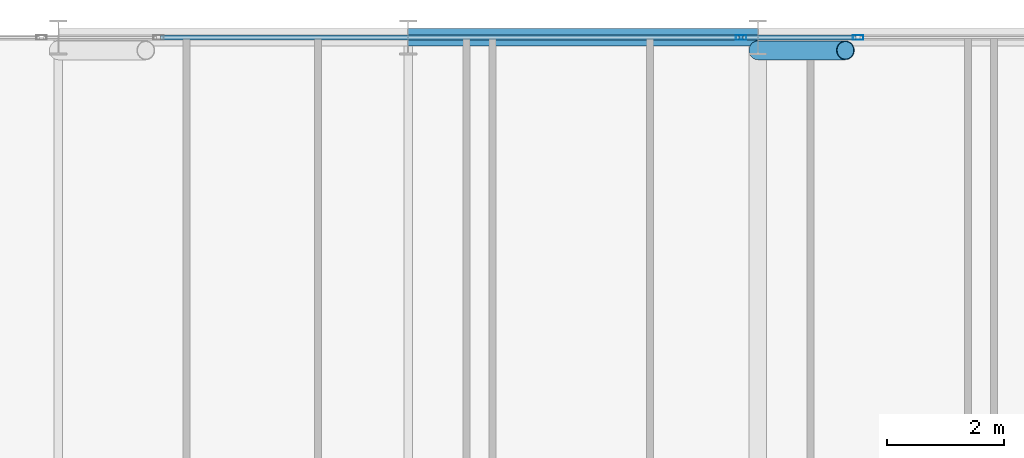
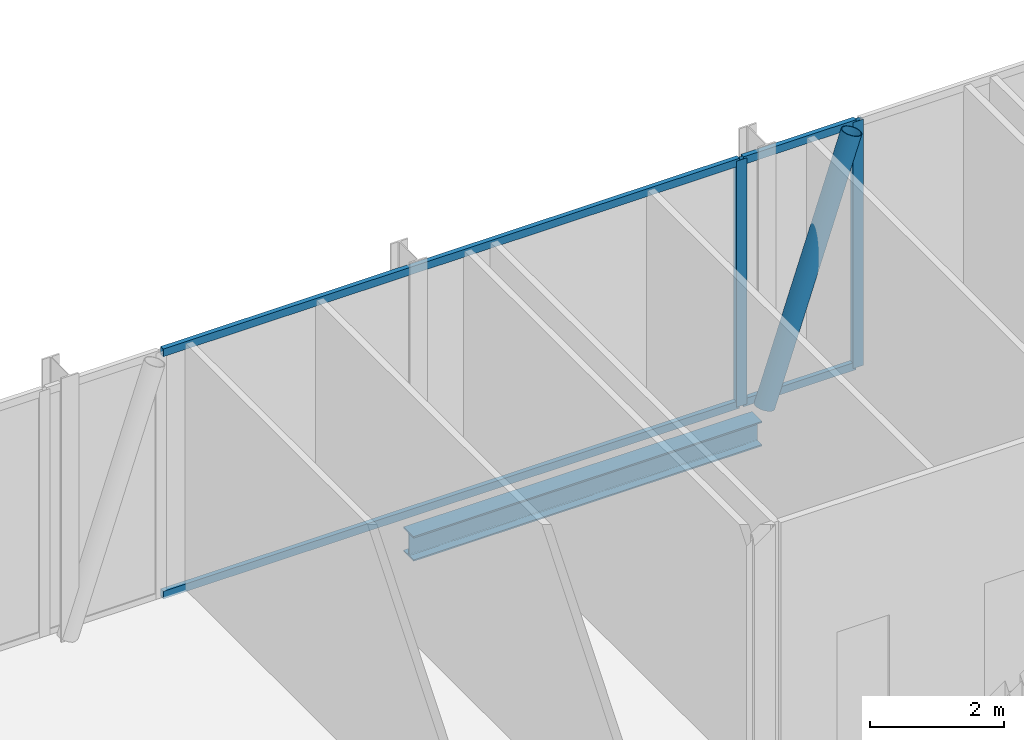
# One storey, part 17 of 29: 7 members, 1 beam, 2 elements without a shape of their own.
"""IFC4 building model written with IfcOpenShell, lengths in metres."""

from ifc_helpers import new_model, si_unit, direction, frame, origin, origin_2d, place, context, subcontext, project, spatial, hollow_rectangle, hollow_circle, i_section, extrude, material, layer, layer_set, material_profile, profile_set, type_object, element, aggregate, save


model = new_model("IFC4")

# Units and contexts
model_context = context("Model", 3, precision=1e-05, world=origin(), true_north=direction((0.0, 1.0)))
body_context = subcontext(model_context, "Body", "Model", "MODEL_VIEW")
ifc_project = project(units=[si_unit("LENGTHUNIT", "METRE"), si_unit("AREAUNIT", "SQUARE_METRE"), si_unit("VOLUMEUNIT", "CUBIC_METRE"), si_unit("PLANEANGLEUNIT", "RADIAN"), si_unit("MASSUNIT", "GRAM", prefix="KILO")], contexts=[model_context])

# Site, building, storey
site_placement = place(None, origin())
site = spatial("IfcSite", under=ifc_project, at=site_placement, CompositionType="ELEMENT")
building_placement = place(site_placement, origin())
building = spatial("IfcBuilding", under=site, at=building_placement, Name="Keshet Zoharim Tower", CompositionType="ELEMENT")
storey_placement = place(building_placement, frame((0.0, 0.0, 120.5)))
storey = spatial("IfcBuildingStorey", under=building, at=storey_placement, Name="L29", CompositionType="ELEMENT", Elevation=120.5)

# Beam
ifc_material_1 = material(Name="Steel S355", Category="steel")
ifc_material_profile_1 = material_profile(ifc_material_1, i_section(OverallWidth=0.300048828125, OverallDepth=0.449951171875, WebThickness=0.013916015625, FlangeThickness=0.02587890625, FilletRadius=0.027099609375, at=origin_2d()), Name="HEB450")
ifc_profile_set_1 = profile_set([ifc_material_profile_1], Name="Steel S355")
beam_type = type_object("IfcBeamType", Name="BM-WEB-HB450", PredefinedType="BEAM", material=ifc_profile_set_1)
beam_placement = place(storey_placement, frame((27.0, 53.89990234375, -0.544921875), z_axis=(1.0, 0.0, 0.0), x_axis=(0.0, 1.0, 0.0)))
element("IfcBeam", 1, at=beam_placement, inside=storey, type_object=beam_type, Name="L29 Primary Girder X-020", PredefinedType="BEAM", context=body_context, shape_type="SweptSolid", body=[
    extrude(i_section(OverallWidth=0.300048828125, OverallDepth=0.449951171875, WebThickness=0.013916015625, FlangeThickness=0.02587890625, FilletRadius=0.027099609375, at=origin_2d()), origin(), (0.0, 0.0, 1.0), 6.0),
])

# Curtain wall, member
ifc_material_2 = material(Name="Aluminium 6063-T6", Category="aluminium")
ifc_layer = layer(ifc_material_2, 0.14990234375)
ifc_layer_set = layer_set([ifc_layer], Name="Aluminium 6063-T6")
curtain_wall_type = type_object("IfcCurtainWallType", Name="CW-SYS-04", PredefinedType="NOTDEFINED", material=ifc_layer_set)
curtain_wall_1_placement = place(storey_placement, origin())
curtain_wall_1 = element("IfcCurtainWall", 2, at=curtain_wall_1_placement, inside=storey, type_object=curtain_wall_type, Name="L29 Unitised Curtain Wall 13 Part 3", PredefinedType="NOTDEFINED")
ifc_material_profile_2 = material_profile(ifc_material_2, hollow_rectangle(XDim=0.080078125, YDim=0.179931640625, WallThickness=0.00439453125, at=origin_2d()), Name="MUL-80x180")
ifc_profile_set_2 = profile_set([ifc_material_profile_2], Name="Aluminium 6063-T6")
member_type_1 = type_object("IfcMemberType", Name="CWM-M18", PredefinedType="MULLION", material=ifc_profile_set_2)
member_1_placement = place(storey_placement, frame((32.71142578125, 53.89990234375, 0.0), z_axis=(0.0, 0.0, 1.0), x_axis=(0.0, 1.0, 0.0)))
member_1 = element("IfcMember", 3, at=member_1_placement, type_object=member_type_1, Name="CW-04 mullion 2", PredefinedType="MULLION", context=body_context, shape_type="SweptSolid", body=[
    extrude(hollow_rectangle(XDim=0.080078125, YDim=0.179931640625, WallThickness=0.00439453125, at=origin_2d()), origin(), (0.0, 0.0, 1.0), 4.47998046875),
])

curtain_wall_2_placement = place(storey_placement, origin())
curtain_wall_2 = element("IfcCurtainWall", 4, at=curtain_wall_2_placement, inside=storey, type_object=curtain_wall_type, Name="L29 Unitised Curtain Wall 13 Part 4", PredefinedType="NOTDEFINED")
member_2_placement = place(storey_placement, frame((34.718505859375, 53.89990234375, 0.0), z_axis=(0.0, 0.0, 1.0), x_axis=(0.0, 1.0, 0.0)))
member_2 = element("IfcMember", 5, at=member_2_placement, type_object=member_type_1, Name="CW-04 mullion 2", PredefinedType="MULLION", context=body_context, shape_type="SweptSolid", body=[
    extrude(hollow_rectangle(XDim=0.080078125, YDim=0.179931640625, WallThickness=0.00439453125, at=origin_2d()), origin(), (0.0, 0.0, 1.0), 4.47998046875),
])

# Member
ifc_material_profile_3 = material_profile(ifc_material_2, hollow_rectangle(XDim=0.080078125, YDim=0.139892578125, WallThickness=0.00390625, at=origin_2d()), Name="TRN-80x140")
ifc_profile_set_3 = profile_set([ifc_material_profile_3], Name="Aluminium 6063-T6")
member_type_2 = type_object("IfcMemberType", Name="CWT-T14", PredefinedType="USERDEFINED", material=ifc_profile_set_3)
member_3_placement = place(storey_placement, frame((22.753662109375, 53.89990234375, 0.034912109375), z_axis=(1.0, 0.0, 0.0), x_axis=(0.0, 1.0, 0.0)))
member_3 = element("IfcMember", 6, at=member_3_placement, type_object=member_type_2, Name="CW-04 transom 1.1", ObjectType="TRANSOM", PredefinedType="USERDEFINED", context=body_context, shape_type="SweptSolid", body=[
    extrude(hollow_rectangle(XDim=0.080078125, YDim=0.139892578125, WallThickness=0.00390625, at=origin_2d()), origin(), (0.0, 0.0, 1.0), 9.9228515625),
])

member_4_placement = place(storey_placement, frame((22.753662109375, 53.89990234375, 4.445068359375), z_axis=(1.0, 0.0, 0.0), x_axis=(0.0, 1.0, 0.0)))
member_4 = element("IfcMember", 7, at=member_4_placement, type_object=member_type_2, Name="CW-04 transom 1.2", ObjectType="TRANSOM", PredefinedType="USERDEFINED", context=body_context, shape_type="SweptSolid", body=[
    extrude(hollow_rectangle(XDim=0.080078125, YDim=0.139892578125, WallThickness=0.00390625, at=origin_2d()), origin(), (0.0, 0.0, 1.0), 9.9228515625),
])

aggregate(curtain_wall_1, [member_1, member_3, member_4])

member_5_placement = place(storey_placement, frame((32.746337890625, 53.89990234375, 0.034912109375), z_axis=(1.0, 0.0, 0.0), x_axis=(0.0, 1.0, 0.0)))
member_5 = element("IfcMember", 8, at=member_5_placement, type_object=member_type_2, Name="CW-04 transom 1.1", ObjectType="TRANSOM", PredefinedType="USERDEFINED", context=body_context, shape_type="SweptSolid", body=[
    extrude(hollow_rectangle(XDim=0.080078125, YDim=0.139892578125, WallThickness=0.00390625, at=origin_2d()), origin(), (0.0, 0.0, 1.0), 1.937255859375),
])

member_6_placement = place(storey_placement, frame((32.746337890625, 53.89990234375, 4.445068359375), z_axis=(1.0, 0.0, 0.0), x_axis=(0.0, 1.0, 0.0)))
member_6 = element("IfcMember", 9, at=member_6_placement, type_object=member_type_2, Name="CW-04 transom 1.2", ObjectType="TRANSOM", PredefinedType="USERDEFINED", context=body_context, shape_type="SweptSolid", body=[
    extrude(hollow_rectangle(XDim=0.080078125, YDim=0.139892578125, WallThickness=0.00390625, at=origin_2d()), origin(), (0.0, 0.0, 1.0), 1.937255859375),
])

aggregate(curtain_wall_2, [member_2, member_5, member_6])

ifc_material_profile_4 = material_profile(ifc_material_1, hollow_circle(Radius=0.161865234375, WallThickness=0.012451171875, at=origin_2d()), Name="CHS323x12.5")
ifc_profile_set_4 = profile_set([ifc_material_profile_4], Name="Steel S355")
member_type_3 = type_object("IfcMemberType", Name="MB-BR-C323", PredefinedType="BRACE", material=ifc_profile_set_4)
member_7_placement = place(storey_placement, frame((33.0, 53.679931640625, 0.0), z_axis=(0.317498717206, 0.0, 0.94825870129), x_axis=(0.0, 1.0, 0.0)))
element("IfcMember", 10, at=member_7_placement, inside=storey, type_object=member_type_3, Name="L29 Perimeter Tube Brace 03", PredefinedType="BRACE", context=body_context, shape_type="SweptSolid", body=[
    extrude(hollow_circle(Radius=0.161865234375, WallThickness=0.012451171875, at=origin_2d()), origin(), (0.0, 0.0, 1.0), 4.724365234375),
])

save(model, "model.ifc")
